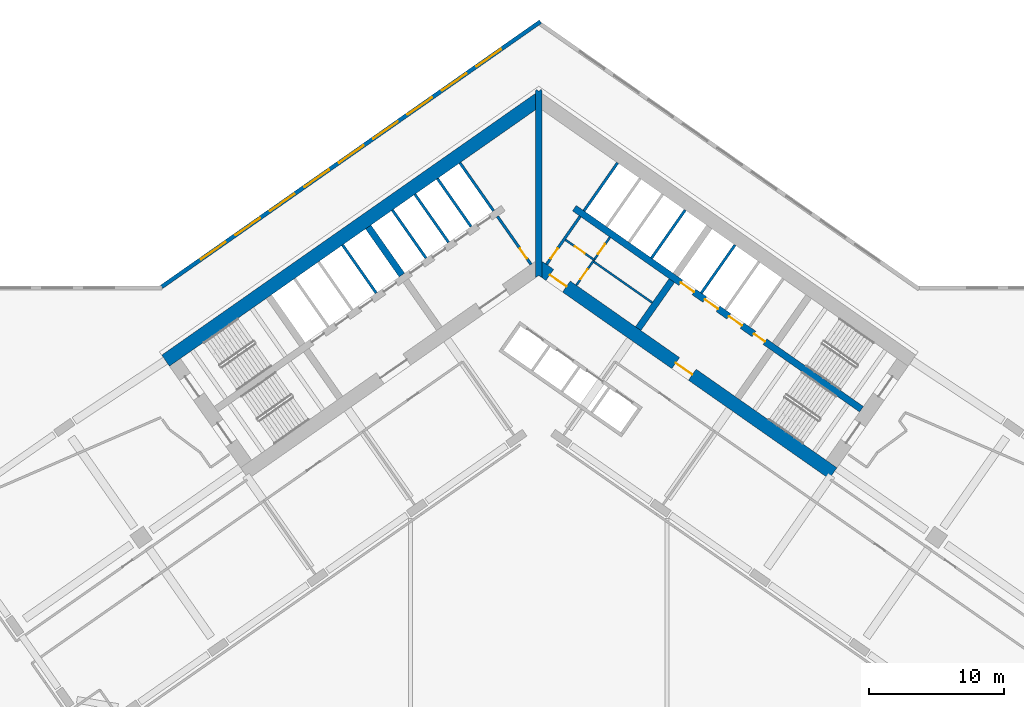
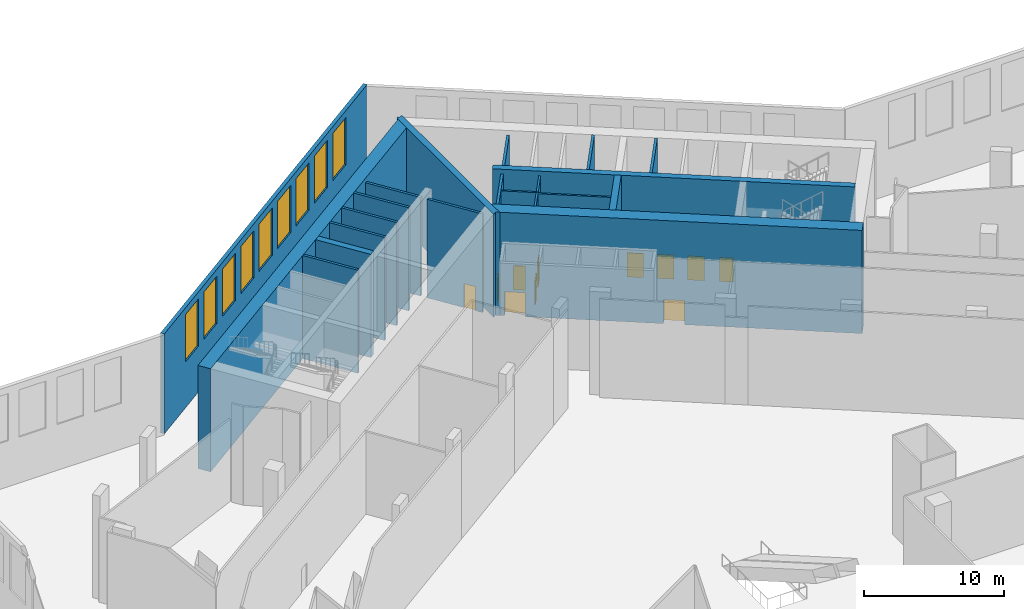
# One storey, part 11 of 27: 20 walls, 11 doors, 9 windows, 20 openings.
"""IFC4 building model written with IfcOpenShell, lengths in metres."""

from ifc_helpers import new_model, si_unit, direction, frame, frame_2d, origin, place, context, subcontext, project, spatial, polyline, rectangle, outline, extrude, material, layer, layer_set, type_object, element, fill, save


model = new_model("IFC4")

# Units and contexts
model_context = context("Model", 3, precision=1e-05, world=origin(), true_north=direction((0.0, 1.0)))
body_context = subcontext(model_context, "Body", "Model", "MODEL_VIEW")
ifc_project = project(units=[si_unit("LENGTHUNIT", "METRE"), si_unit("AREAUNIT", "SQUARE_METRE"), si_unit("VOLUMEUNIT", "CUBIC_METRE"), si_unit("PLANEANGLEUNIT", "RADIAN"), si_unit("MASSUNIT", "GRAM", prefix="KILO")], contexts=[model_context])

# Site, building, storey
site_placement = place(None, origin())
site = spatial("IfcSite", under=ifc_project, at=site_placement, CompositionType="ELEMENT")
building_placement = place(site_placement, origin())
building = spatial("IfcBuilding", under=site, at=building_placement, Name="Tel Ilan Convention Tower", CompositionType="ELEMENT")
storey_placement = place(building_placement, frame((0.0, 0.0, 9.0)))
storey = spatial("IfcBuildingStorey", under=building, at=storey_placement, Name="L01", CompositionType="ELEMENT", Elevation=9.0)

# Wall, openings, doors
ifc_material_1 = material(Name="Gypsum Plasterboard on Steel Stud", Category="steel")
ifc_layer_1 = layer(ifc_material_1, 0.14990234375)
ifc_layer_set_1 = layer_set([ifc_layer_1], Name="Core Room Partition Wall 150 mm EI 60")
wall_type_1 = type_object("IfcWallType", Name="Core Room Partition Wall 150 mm EI 60", PredefinedType="PARTITIONING", material=ifc_layer_set_1)
wall_1_placement = place(storey_placement, frame((2.78515625, -1.9501953125, 0.0), z_axis=(0.0, 0.0, 1.0), x_axis=(0.57356780395, 0.819158088694, 0.0)))
wall_1 = element("IfcWall", 1, at=wall_1_placement, inside=storey, type_object=wall_type_1, Name="L01 core wall wc-v1", PredefinedType="PARTITIONING", context=body_context, shape_type="SweptSolid", body=[
    extrude(rectangle(XDim=4.35009765625, YDim=0.14990234375, at=frame_2d((2.175048828125, 0.0))), origin(), (0.0, 0.0, 1.0), 8.60009765625),
])
opening_1_placement = place(wall_1_placement, frame((0.550048828125, 0.0, 0.0)))
opening_1 = element("IfcOpeningElement", 2, at=opening_1_placement, cuts=wall_1, Name="Opening CD0409", PredefinedType="OPENING", context=body_context, shape_type="SweptSolid", body=[
    extrude(rectangle(XDim=0.89990234375, YDim=2.10009765625, at=frame_2d((0.449951171875, 1.050048828125))), frame((0.0, 0.0849609375, 0.0), z_axis=(0.0, -1.0, 0.0), x_axis=(1.0, 0.0, 0.0)), (0.0, 0.0, 1.0), 0.169921875),
])
opening_2_placement = place(wall_1_placement, frame((2.824951171875, 0.0, 0.0)))
opening_2 = element("IfcOpeningElement", 3, at=opening_2_placement, cuts=wall_1, Name="Opening CD0410", PredefinedType="OPENING", context=body_context, shape_type="SweptSolid", body=[
    extrude(rectangle(XDim=0.89990234375, YDim=2.10009765625, at=frame_2d((0.449951171875, 1.050048828125))), frame((0.0, 0.0849609375, 0.0), z_axis=(0.0, -1.0, 0.0), x_axis=(1.0, 0.0, 0.0)), (0.0, 0.0, 1.0), 0.169921875),
])
ifc_material_2 = material(Name="Laminated Timber Door Leaf", Category="wood")
door_type_1 = type_object("IfcDoorType", Name="Toilet Door 900 x 2100 FD30S", OperationType="NOTDEFINED", PredefinedType="DOOR", material=ifc_material_2)
door_1_placement = place(opening_1_placement, origin())
door_1 = element("IfcDoor", 4, at=door_1_placement, inside=storey, type_object=door_type_1, Name="Women's WC door", OperationType="SINGLE_SWING_RIGHT", OverallHeight=2.10009765625, OverallWidth=0.89990234375, PredefinedType="DOOR", context=body_context, shape_type="SweptSolid", body=[
    extrude(rectangle(XDim=0.89990234375, YDim=2.10009765625, at=frame_2d((0.449951171875, 1.050048828125))), frame((0.0, 0.02490234375, 0.0), z_axis=(0.0, -1.0, 0.0), x_axis=(1.0, 0.0, 0.0)), (0.0, 0.0, 1.0), 0.050048828125),
])
fill(opening_1, door_1)
door_2_placement = place(opening_2_placement, origin())
door_2 = element("IfcDoor", 5, at=door_2_placement, inside=storey, type_object=door_type_1, Name="Men's WC door", OperationType="SINGLE_SWING_RIGHT", OverallHeight=2.10009765625, OverallWidth=0.89990234375, PredefinedType="DOOR", context=body_context, shape_type="SweptSolid", body=[
    extrude(rectangle(XDim=0.89990234375, YDim=2.10009765625, at=frame_2d((0.449951171875, 1.050048828125))), frame((0.0, 0.02490234375, 0.0), z_axis=(0.0, -1.0, 0.0), x_axis=(1.0, 0.0, 0.0)), (0.0, 0.0, 1.0), 0.050048828125),
])
fill(opening_2, door_2)

# Wall, opening, door
wall_2_placement = place(storey_placement, frame((1.974609375, 1.42529296875, 0.0), z_axis=(0.0, 0.0, 1.0), x_axis=(0.819103967032, -0.573645091666, 0.0)))
wall_2 = element("IfcWall", 6, at=wall_2_placement, inside=storey, type_object=wall_type_1, Name="L01 core wall wc-h1", PredefinedType="PARTITIONING", context=body_context, shape_type="SweptSolid", body=[
    extrude(rectangle(XDim=2.599853515625, YDim=0.14990234375, at=frame_2d((1.2998046875, 0.0))), origin(), (0.0, 0.0, 1.0), 8.60009765625),
])
opening_3_placement = place(wall_2_placement, frame((0.85009765625, 0.0, 0.0)))
opening_3 = element("IfcOpeningElement", 7, at=opening_3_placement, cuts=wall_2, Name="Opening CD0408", PredefinedType="OPENING", context=body_context, shape_type="SweptSolid", body=[
    extrude(rectangle(XDim=0.89990234375, YDim=2.10009765625, at=frame_2d((0.449951171875, 1.050048828125))), frame((0.0, 0.0849609375, 0.0), z_axis=(0.0, -1.0, 0.0), x_axis=(1.0, 0.0, 0.0)), (0.0, 0.0, 1.0), 0.169921875),
])
door_3_placement = place(opening_3_placement, origin())
door_3 = element("IfcDoor", 8, at=door_3_placement, inside=storey, type_object=door_type_1, Name="Accessible WC door", OperationType="SINGLE_SWING_RIGHT", OverallHeight=2.10009765625, OverallWidth=0.89990234375, PredefinedType="DOOR", context=body_context, shape_type="SweptSolid", body=[
    extrude(rectangle(XDim=0.89990234375, YDim=2.10009765625, at=frame_2d((0.449951171875, 1.050048828125))), frame((0.0, 0.02490234375, 0.0), z_axis=(0.0, -1.0, 0.0), x_axis=(1.0, 0.0, 0.0)), (0.0, 0.0, 1.0), 0.050048828125),
])
fill(opening_3, door_3)

# Wall
wall_3_placement = place(storey_placement, frame((4.03271484375, -0.16845703125, 0.0), z_axis=(0.0, 0.0, 1.0), x_axis=(0.819146154531, -0.573584847705, 0.0)))
element("IfcWall", 9, at=wall_3_placement, inside=storey, type_object=wall_type_1, Name="L01 core wall wc-h2", PredefinedType="PARTITIONING", context=body_context, shape_type="SweptSolid", body=[
    extrude(rectangle(XDim=5.349853515625, YDim=0.14990234375, at=frame_2d((2.6748046875, 0.0))), origin(), (0.0, 0.0, 1.0), 8.60009765625),
])

# Wall, opening, door
ifc_material_3 = material(Name="Concrete C30/37", Category="concrete")
ifc_layer_2 = layer(ifc_material_3, 0.199951171875)
ifc_layer_set_2 = layer_set([ifc_layer_2], Name="Core Service Room Wall 200 mm C30/37")
wall_type_2 = type_object("IfcWallType", Name="Core Service Room Wall 200 mm C30/37", PredefinedType="SOLIDWALL", material=ifc_layer_set_2)
wall_4_placement = place(storey_placement, frame((-0.573486328125, -0.401611328125, 0.0), z_axis=(0.0, 0.0, 1.0), x_axis=(-0.57356780395, 0.819158088694, 0.0)))
wall_4 = element("IfcWall", 10, at=wall_4_placement, inside=storey, type_object=wall_type_2, Name="L01 core wall apex-W", PredefinedType="SOLIDWALL", context=body_context, shape_type="SweptSolid", body=[
    extrude(rectangle(XDim=4.35009765625, YDim=0.199951171875, at=frame_2d((2.175048828125, 0.0))), origin(), (0.0, 0.0, 1.0), 8.60009765625),
])
opening_4_placement = place(wall_4_placement, frame((0.550048828125, 0.0, 0.0)))
opening_4 = element("IfcOpeningElement", 11, at=opening_4_placement, cuts=wall_4, Name="Opening CD0402", PredefinedType="OPENING", context=body_context, shape_type="SweptSolid", body=[
    extrude(rectangle(XDim=0.89990234375, YDim=2.10009765625, at=frame_2d((0.449951171875, 1.050048828125))), frame((0.0, 0.10986328125, 0.0), z_axis=(0.0, -1.0, 0.0), x_axis=(1.0, 0.0, 0.0)), (0.0, 0.0, 1.0), 0.219970703125),
])
ifc_material_4 = material(Name="Galvanised Steel Door Leaf", Category="steel")
door_type_2 = type_object("IfcDoorType", Name="Service Room Door 900 x 2100 FD60", OperationType="NOTDEFINED", PredefinedType="DOOR", material=ifc_material_4)
door_4_placement = place(opening_4_placement, origin())
door_4 = element("IfcDoor", 12, at=door_4_placement, inside=storey, type_object=door_type_2, Name="Electrical Room door", OperationType="SINGLE_SWING_RIGHT", OverallHeight=2.10009765625, OverallWidth=0.89990234375, PredefinedType="DOOR", context=body_context, shape_type="SweptSolid", body=[
    extrude(rectangle(XDim=0.89990234375, YDim=2.10009765625, at=frame_2d((0.449951171875, 1.050048828125))), frame((0.0, 0.02490234375, 0.0), z_axis=(0.0, -1.0, 0.0), x_axis=(1.0, 0.0, 0.0)), (0.0, 0.0, 1.0), 0.050048828125),
])
fill(opening_4, door_4)

# Wall
wall_5_placement = place(storey_placement, frame((-3.355224609375, 3.5712890625, 0.0), z_axis=(0.0, 0.0, 1.0), x_axis=(-0.57356780395, 0.819158088694, 0.0)))
element("IfcWall", 13, at=wall_5_placement, inside=storey, type_object=wall_type_2, Name="L01 core wall apex-W-b", PredefinedType="SOLIDWALL", context=body_context, shape_type="SweptSolid", body=[
    extrude(rectangle(XDim=4.35009765625, YDim=0.199951171875, at=frame_2d((2.175048828125, 0.0))), origin(), (0.0, 0.0, 1.0), 8.60009765625),
])

# Wall, opening, door
wall_6_placement = place(storey_placement, frame((0.573486328125, -0.401611328125, 0.0), z_axis=(0.0, 0.0, 1.0), x_axis=(0.57356780395, 0.819158088694, 0.0)))
wall_6 = element("IfcWall", 14, at=wall_6_placement, inside=storey, type_object=wall_type_2, Name="L01 core wall apex-E", PredefinedType="SOLIDWALL", context=body_context, shape_type="SweptSolid", body=[
    extrude(rectangle(XDim=4.35009765625, YDim=0.199951171875, at=frame_2d((2.175048828125, 0.0))), origin(), (0.0, 0.0, 1.0), 8.60009765625),
])
opening_5_placement = place(wall_6_placement, frame((0.550048828125, 0.0, 0.0)))
opening_5 = element("IfcOpeningElement", 15, at=opening_5_placement, cuts=wall_6, Name="Opening CD0401", PredefinedType="OPENING", context=body_context, shape_type="SweptSolid", body=[
    extrude(rectangle(XDim=0.89990234375, YDim=2.10009765625, at=frame_2d((0.449951171875, 1.050048828125))), frame((0.0, 0.10986328125, 0.0), z_axis=(0.0, -1.0, 0.0), x_axis=(1.0, 0.0, 0.0)), (0.0, 0.0, 1.0), 0.219970703125),
])
door_5_placement = place(opening_5_placement, origin())
door_5 = element("IfcDoor", 16, at=door_5_placement, inside=storey, type_object=door_type_2, Name="Store Room door", OperationType="SINGLE_SWING_RIGHT", OverallHeight=2.10009765625, OverallWidth=0.89990234375, PredefinedType="DOOR", context=body_context, shape_type="SweptSolid", body=[
    extrude(rectangle(XDim=0.89990234375, YDim=2.10009765625, at=frame_2d((0.449951171875, 1.050048828125))), frame((0.0, 0.02490234375, 0.0), z_axis=(0.0, -1.0, 0.0), x_axis=(1.0, 0.0, 0.0)), (0.0, 0.0, 1.0), 0.050048828125),
])
fill(opening_5, door_5)

# Walls
wall_7_placement = place(storey_placement, frame((3.355224609375, 3.5712890625, 0.0), z_axis=(0.0, 0.0, 1.0), x_axis=(0.57356780395, 0.819158088694, 0.0)))
element("IfcWall", 17, at=wall_7_placement, inside=storey, type_object=wall_type_2, Name="L01 core wall apex-E-b", PredefinedType="SOLIDWALL", context=body_context, shape_type="SweptSolid", body=[
    extrude(rectangle(XDim=4.35009765625, YDim=0.199951171875, at=frame_2d((2.175048828125, 0.0))), origin(), (0.0, 0.0, 1.0), 8.60009765625),
])
ifc_material_5 = material(Name="Concrete C60/75", Category="concrete")
ifc_layer_3 = layer(ifc_material_5, 1.0)
ifc_layer_set_3 = layer_set([ifc_layer_3], Name="Core Shear Wall 1000 mm C60/75")
wall_type_3 = type_object("IfcWallType", Name="Core Shear Wall 1000 mm C60/75", PredefinedType="SHEAR", material=ifc_layer_set_3)
wall_8_placement = place(storey_placement, frame((0.036865234375, 11.8671875, 0.0), z_axis=(0.0, 0.0, 1.0), x_axis=(-0.819155306259, -0.573571777746, 0.0)))
element("IfcWall", 18, at=wall_8_placement, inside=storey, type_object=wall_type_3, Name="L01 core wall W-back", PredefinedType="SHEAR", context=body_context, shape_type="SweptSolid", body=[
    extrude(outline(polyline([(33.8369140625, 0.5), (0.7001953125, 0.499755859375), (0.0, -0.5), (33.8369140625, -0.5), (33.8369140625, 0.5)])), origin(), (0.0, 0.0, 1.0), 9.0),
])

# Wall, openings, doors
wall_9_placement = place(storey_placement, frame((-0.036865234375, -0.584716796875, 0.0), z_axis=(0.0, 0.0, 1.0), x_axis=(0.819157152511, -0.573569140985, 0.0)))
wall_9 = element("IfcWall", 19, at=wall_9_placement, inside=storey, type_object=wall_type_3, Name="L01 core wall E-front", PredefinedType="SHEAR", context=body_context, shape_type="SweptSolid", body=[
    extrude(outline(polyline([(26.69482421875, 0.499755859375), (0.0, 0.5), (0.7001953125, -0.499755859375), (26.69482421875, -0.500244140625), (26.69482421875, 0.499755859375)])), origin(), (0.0, 0.0, 1.0), 9.0),
])
opening_6_placement = place(wall_9_placement, frame((1.044921875, 0.0, 0.0)))
opening_6 = element("IfcOpeningElement", 20, at=opening_6_placement, cuts=wall_9, Name="Opening CD0403", PredefinedType="OPENING", context=body_context, shape_type="SweptSolid", body=[
    extrude(rectangle(XDim=1.5, YDim=2.10009765625, at=frame_2d((0.75, 1.050048828125))), frame((0.0, 0.510009765625, 0.0), z_axis=(0.0, -1.0, 0.0), x_axis=(1.0, 0.0, 0.0)), (0.0, 0.0, 1.0), 1.02001953125),
])
opening_7_placement = place(wall_9_placement, frame((12.44482421875, 0.0, 0.0)))
opening_7 = element("IfcOpeningElement", 21, at=opening_7_placement, cuts=wall_9, Name="Opening CD0404", PredefinedType="OPENING", context=body_context, shape_type="SweptSolid", body=[
    extrude(rectangle(XDim=1.5, YDim=2.10009765625, at=frame_2d((0.75, 1.050048828125))), frame((0.0, 0.510009765625, 0.0), z_axis=(0.0, -1.0, 0.0), x_axis=(1.0, 0.0, 0.0)), (0.0, 0.0, 1.0), 1.02001953125),
])
ifc_material_6 = material(Name="Glazed Aluminium Door Leaf", Category="aluminium")
door_type_3 = type_object("IfcDoorType", Name="Lobby Opening Door 1500 x 2100 FD60S", OperationType="NOTDEFINED", PredefinedType="DOOR", material=ifc_material_6)
door_6_placement = place(opening_7_placement, origin())
door_6 = element("IfcDoor", 22, at=door_6_placement, inside=storey, type_object=door_type_3, Name="Firefighting Lobby door", OperationType="DOUBLE_DOOR_SINGLE_SWING", OverallHeight=2.10009765625, OverallWidth=1.5, PredefinedType="DOOR", context=body_context, shape_type="SweptSolid", body=[
    extrude(rectangle(XDim=1.5, YDim=2.10009765625, at=frame_2d((0.75, 1.050048828125))), frame((0.0, 0.02490234375, 0.0), z_axis=(0.0, -1.0, 0.0), x_axis=(1.0, 0.0, 0.0)), (0.0, 0.0, 1.0), 0.050048828125),
])
fill(opening_7, door_6)
ifc_material_7 = material(Name="Laminated Timber Door Leaf", Category="wood")
door_type_4 = type_object("IfcDoorType", Name="Toilet Door 1500 x 2100 FD30S", OperationType="NOTDEFINED", PredefinedType="DOOR", material=ifc_material_7)
door_7_placement = place(opening_6_placement, origin())
door_7 = element("IfcDoor", 23, at=door_7_placement, inside=storey, type_object=door_type_4, Name="WC Lobby door", OperationType="SINGLE_SWING_RIGHT", OverallHeight=2.10009765625, OverallWidth=1.5, PredefinedType="DOOR", context=body_context, shape_type="SweptSolid", body=[
    extrude(rectangle(XDim=1.5, YDim=2.10009765625, at=frame_2d((0.75, 1.050048828125))), frame((0.0, 0.02490234375, 0.0), z_axis=(0.0, -1.0, 0.0), x_axis=(1.0, 0.0, 0.0)), (0.0, 0.0, 1.0), 0.050048828125),
])
fill(opening_6, door_7)

# Walls
ifc_material_8 = material(Name="Concrete C60/75", Category="concrete")
ifc_layer_4 = layer(ifc_material_8, 0.5)
ifc_layer_set_4 = layer_set([ifc_layer_4], Name="Core Shear Wall 500 mm C60/75")
wall_type_4 = type_object("IfcWallType", Name="Core Shear Wall 500 mm C60/75", PredefinedType="SHEAR", material=ifc_layer_set_4)
wall_10_placement = place(storey_placement, frame((-10.154296875, -1.189208984375, 0.0), z_axis=(0.0, 0.0, 1.0), x_axis=(-0.573594173421, 0.819139624372, 0.0)))
element("IfcWall", 24, at=wall_10_placement, inside=storey, type_object=wall_type_4, Name="L01 core wall W-cross1-2", PredefinedType="SHEAR", context=body_context, shape_type="SweptSolid", body=[
    extrude(outline(polyline([(4.349853515625, -0.25), (4.349853515625, 0.25), (-0.000244140625, 0.25), (-0.000244140625, -0.25), (4.349853515625, -0.25)])), origin(), (0.0, 0.0, 1.0), 9.0),
])
wall_11_placement = place(storey_placement, frame((7.372314453125, -5.162109375, 0.0), z_axis=(0.0, 0.0, 1.0), x_axis=(0.573594173421, 0.819139624372, 0.0)))
element("IfcWall", 25, at=wall_11_placement, inside=storey, type_object=wall_type_4, Name="L01 core wall E-cross1-1", PredefinedType="SHEAR", context=body_context, shape_type="SweptSolid", body=[
    extrude(outline(polyline([(0.0, 0.25), (0.0, -0.250244140625), (4.349853515625, -0.25), (4.349853515625, 0.25), (0.0, 0.25)])), origin(), (0.0, 0.0, 1.0), 9.0),
])

# Wall, openings, doors
wall_12_placement = place(storey_placement, frame((2.638427734375, 3.76806640625, 0.0), z_axis=(0.0, 0.0, 1.0), x_axis=(0.819148977158, -0.573580816643, 0.0)))
wall_12 = element("IfcWall", 26, at=wall_12_placement, inside=storey, type_object=wall_type_4, Name="L01 core wall E-spine", PredefinedType="SHEAR", context=body_context, shape_type="SweptSolid", body=[
    extrude(outline(polyline([(0.0, 0.25), (0.0, -0.25), (26.0, -0.249755859375), (26.0, 0.250244140625), (0.0, 0.25)])), origin(), (0.0, 0.0, 1.0), 9.0),
])
opening_8_placement = place(wall_12_placement, frame((9.637451171875, 0.0, 0.0)))
opening_8 = element("IfcOpeningElement", 27, at=opening_8_placement, cuts=wall_12, Name="Opening LD0401", PredefinedType="OPENING", context=body_context, shape_type="SweptSolid", body=[
    extrude(rectangle(XDim=1.199951171875, YDim=2.10009765625, at=frame_2d((0.60009765625, 1.050048828125))), frame((0.0, 0.260009765625, 0.0), z_axis=(0.0, -1.0, 0.0), x_axis=(1.0, 0.0, 0.0)), (0.0, 0.0, 1.0), 0.52001953125),
])
opening_9_placement = place(wall_12_placement, frame((11.8125, 0.0, 0.0)))
opening_9 = element("IfcOpeningElement", 28, at=opening_9_placement, cuts=wall_12, Name="Opening LD0402", PredefinedType="OPENING", context=body_context, shape_type="SweptSolid", body=[
    extrude(rectangle(XDim=1.199951171875, YDim=2.10009765625, at=frame_2d((0.60009765625, 1.050048828125))), frame((0.0, 0.260009765625, 0.0), z_axis=(0.0, -1.0, 0.0), x_axis=(1.0, 0.0, 0.0)), (0.0, 0.0, 1.0), 0.52001953125),
])
opening_10_placement = place(wall_12_placement, frame((13.987548828125, 0.0, 0.0)))
opening_10 = element("IfcOpeningElement", 29, at=opening_10_placement, cuts=wall_12, Name="Opening LD0403", PredefinedType="OPENING", context=body_context, shape_type="SweptSolid", body=[
    extrude(rectangle(XDim=1.199951171875, YDim=2.10009765625, at=frame_2d((0.60009765625, 1.050048828125))), frame((0.0, 0.260009765625, 0.0), z_axis=(0.0, -1.0, 0.0), x_axis=(1.0, 0.0, 0.0)), (0.0, 0.0, 1.0), 0.52001953125),
])
opening_11_placement = place(wall_12_placement, frame((16.262451171875, 0.0, 0.0)))
opening_11 = element("IfcOpeningElement", 30, at=opening_11_placement, cuts=wall_12, Name="Opening CD0407", PredefinedType="OPENING", context=body_context, shape_type="SweptSolid", body=[
    extrude(rectangle(XDim=1.0, YDim=2.10009765625, at=frame_2d((0.5, 1.050048828125))), frame((0.0, 0.260009765625, 0.0), z_axis=(0.0, -1.0, 0.0), x_axis=(1.0, 0.0, 0.0)), (0.0, 0.0, 1.0), 0.52001953125),
])
ifc_material_9 = material(Name="Stainless Steel Sliding Door Leaf", Category="steel")
door_type_5 = type_object("IfcDoorType", Name="Lift Landing Door 1200 x 2100 FD120", OperationType="NOTDEFINED", PredefinedType="DOOR", material=ifc_material_9)
door_8_placement = place(opening_8_placement, origin())
door_8 = element("IfcDoor", 31, at=door_8_placement, inside=storey, type_object=door_type_5, Name="Lift FL1 landing door", OperationType="SLIDING_TO_LEFT", OverallHeight=2.10009765625, OverallWidth=1.199951171875, PredefinedType="DOOR", context=body_context, shape_type="SweptSolid", body=[
    extrude(rectangle(XDim=1.199951171875, YDim=2.10009765625, at=frame_2d((0.60009765625, 1.050048828125))), frame((0.0, 0.02490234375, 0.0), z_axis=(0.0, -1.0, 0.0), x_axis=(1.0, 0.0, 0.0)), (0.0, 0.0, 1.0), 0.050048828125),
])
fill(opening_8, door_8)
door_9_placement = place(opening_9_placement, origin())
door_9 = element("IfcDoor", 32, at=door_9_placement, inside=storey, type_object=door_type_5, Name="Lift FL2 landing door", OperationType="SLIDING_TO_RIGHT", OverallHeight=2.10009765625, OverallWidth=1.199951171875, PredefinedType="DOOR", context=body_context, shape_type="SweptSolid", body=[
    extrude(rectangle(XDim=1.199951171875, YDim=2.10009765625, at=frame_2d((0.60009765625, 1.050048828125))), frame((0.0, 0.02490234375, 0.0), z_axis=(0.0, -1.0, 0.0), x_axis=(1.0, 0.0, 0.0)), (0.0, 0.0, 1.0), 0.050048828125),
])
fill(opening_9, door_9)
door_10_placement = place(opening_10_placement, origin())
door_10 = element("IfcDoor", 33, at=door_10_placement, inside=storey, type_object=door_type_5, Name="Lift FL3 landing door", OperationType="SLIDING_TO_LEFT", OverallHeight=2.10009765625, OverallWidth=1.199951171875, PredefinedType="DOOR", context=body_context, shape_type="SweptSolid", body=[
    extrude(rectangle(XDim=1.199951171875, YDim=2.10009765625, at=frame_2d((0.60009765625, 1.050048828125))), frame((0.0, 0.02490234375, 0.0), z_axis=(0.0, -1.0, 0.0), x_axis=(1.0, 0.0, 0.0)), (0.0, 0.0, 1.0), 0.050048828125),
])
fill(opening_10, door_10)
ifc_material_10 = material(Name="Galvanised Steel Door Leaf", Category="steel")
door_type_6 = type_object("IfcDoorType", Name="Service Room Door 1000 x 2100 FD60", OperationType="NOTDEFINED", PredefinedType="DOOR", material=ifc_material_10)
door_11_placement = place(opening_11_placement, origin())
door_11 = element("IfcDoor", 34, at=door_11_placement, inside=storey, type_object=door_type_6, Name="Plant Room door", OperationType="SINGLE_SWING_RIGHT", OverallHeight=2.10009765625, OverallWidth=1.0, PredefinedType="DOOR", context=body_context, shape_type="SweptSolid", body=[
    extrude(rectangle(XDim=1.0, YDim=2.10009765625, at=frame_2d((0.5, 1.050048828125))), frame((0.0, 0.02490234375, 0.0), z_axis=(0.0, -1.0, 0.0), x_axis=(1.0, 0.0, 0.0)), (0.0, 0.0, 1.0), 0.050048828125),
])
fill(opening_11, door_11)

# Walls
wall_13_placement = place(storey_placement, frame((0.0, -1.395751953125, 0.0), z_axis=(0.0, 0.0, 1.0), x_axis=(0.0, 1.0, 0.0)))
element("IfcWall", 35, at=wall_13_placement, inside=storey, type_object=wall_type_4, Name="L01 core wall K-central", PredefinedType="SHEAR", context=body_context, shape_type="SweptSolid", body=[
    extrude(outline(polyline([(0.0, -0.25), (0.175048828125, -0.25), (1.220703125, -0.25), (12.451904296875, -0.25), (13.84765625, -0.25), (13.85693359375, -0.25), (13.96826171875, -0.172119140625), (13.84765625, 0.0), (13.96826171875, 0.172119140625), (13.85693359375, 0.25), (13.84765625, 0.25), (12.451904296875, 0.25), (1.220703125, 0.25), (0.175048828125, 0.25), (0.0, 0.25), (0.175048828125, 0.0), (0.0, -0.25)])), origin(), (0.0, 0.0, 1.0), 9.0),
])
ifc_material_11 = material(Name="Concrete C30/37", Category="concrete")
ifc_layer_5 = layer(ifc_material_11, 0.199951171875)
ifc_layer_set_5 = layer_set([ifc_layer_5], Name="Lift Shaft Wall 200 mm C30/37")
wall_type_5 = type_object("IfcWallType", Name="Lift Shaft Wall 200 mm C30/37", PredefinedType="SOLIDWALL", material=ifc_layer_set_5)
wall_14_placement = place(storey_placement, frame((-5.0244140625, 2.402587890625, 0.0), z_axis=(0.0, 0.0, 1.0), x_axis=(-0.573530143085, 0.819184457233, 0.0)))
element("IfcWall", 36, at=wall_14_placement, inside=storey, type_object=wall_type_5, Name="L01 core wall bank-W1-p0", PredefinedType="SOLIDWALL", context=body_context, shape_type="SweptSolid", body=[
    extrude(rectangle(XDim=4.35009765625, YDim=0.199951171875, at=frame_2d((2.175048828125, 0.0))), origin(), (0.0, 0.0, 1.0), 9.0),
])
for number, where, z_axis, x_axis, name in (
    (37, (-6.693359375, 1.234130859375, 0.0), (0.0, 0.0, 1.0), (-0.573594173421, 0.819139624372, 0.0), "L01 core wall bank-W1-p1"),
    (38, (-8.3623046875, 0.0654296875, 0.0), (0.0, 0.0, 1.0), (-0.573594173421, 0.819139624372, 0.0), "L01 core wall bank-W1-p2"),
    (39, (-12.05859375, -2.52294921875, 0.0), (0.0, 0.0, 1.0), (-0.573594173421, 0.819139624372, 0.0), "L01 core wall bank-W2-p0"),
    (40, (8.3623046875, 0.0654296875, 0.0), (0.0, 0.0, 1.0), (0.573594173421, 0.819139624372, 0.0), "L01 core wall bank-E1-p2"),
    (41, (12.05859375, -2.52294921875, 0.0), (0.0, 0.0, 1.0), (0.573594173421, 0.819139624372, 0.0), "L01 core wall bank-E2-p0"),
):
    element("IfcWall", number, at=place(storey_placement, frame(where, z_axis=z_axis, x_axis=x_axis)), inside=storey, type_object=wall_type_5, Name=name, PredefinedType="SOLIDWALL", context=body_context, shape_type="SweptSolid", body=[
        extrude(rectangle(XDim=4.349853515625, YDim=0.199951171875, at=frame_2d((2.1748046875, 0.0))), origin(), (0.0, 0.0, 1.0), 9.0),
    ])

# Wall, openings, windows
ifc_material_12 = material(Name="Bronze aluminium cladding panel on insulated steel frame", Category="steel")
ifc_layer_6 = layer(ifc_material_12, 0.300048828125)
ifc_layer_set_6 = layer_set([ifc_layer_6], Name="PODIUM CLADDING WALL 300")
wall_type_6 = type_object("IfcWallType", Name="PODIUM CLADDING WALL 300", PredefinedType="SOLIDWALL", material=ifc_layer_set_6)
wall_15_placement = place(storey_placement, frame((-27.966064453125, -2.06396484375, 0.0), z_axis=(0.0, 0.0, 1.0), x_axis=(0.819149627982, 0.57357988718, 0.0)))
wall_15 = element("IfcWall", 42, at=wall_15_placement, inside=storey, type_object=wall_type_6, Name="Podium cladding wall", PredefinedType="SOLIDWALL", context=body_context, shape_type="SweptSolid", body=[
    extrude(rectangle(XDim=34.290283203125, YDim=0.300048828125, at=frame_2d((17.14501953125, 0.0))), origin(), (0.0, 0.0, 1.0), 8.719970703125),
])
opening_12_placement = place(wall_15_placement, frame((3.5673828125, 0.0, 4.0)))
opening_12 = element("IfcOpeningElement", 43, at=opening_12_placement, cuts=wall_15, Name="Opening W-04.031", PredefinedType="OPENING", context=body_context, shape_type="SweptSolid", body=[
    extrude(rectangle(XDim=2.21728515625, YDim=4.1201171875, at=frame_2d((1.108642578125, 2.06005859375))), frame((0.0, 0.159912109375, 0.0), z_axis=(0.0, -1.0, 0.0), x_axis=(1.0, 0.0, 0.0)), (0.0, 0.0, 1.0), 0.320068359375),
])
opening_13_placement = place(wall_15_placement, frame((6.6845703125, 0.0, 4.0)))
opening_13 = element("IfcOpeningElement", 44, at=opening_13_placement, cuts=wall_15, Name="Opening W-04.032", PredefinedType="OPENING", context=body_context, shape_type="SweptSolid", body=[
    extrude(rectangle(XDim=2.21728515625, YDim=4.1201171875, at=frame_2d((1.108642578125, 2.06005859375))), frame((0.0, 0.159912109375, 0.0), z_axis=(0.0, -1.0, 0.0), x_axis=(1.0, 0.0, 0.0)), (0.0, 0.0, 1.0), 0.320068359375),
])
opening_14_placement = place(wall_15_placement, frame((9.802001953125, 0.0, 4.0)))
opening_14 = element("IfcOpeningElement", 45, at=opening_14_placement, cuts=wall_15, Name="Opening W-04.033", PredefinedType="OPENING", context=body_context, shape_type="SweptSolid", body=[
    extrude(rectangle(XDim=2.21728515625, YDim=4.1201171875, at=frame_2d((1.108642578125, 2.06005859375))), frame((0.0, 0.159912109375, 0.0), z_axis=(0.0, -1.0, 0.0), x_axis=(1.0, 0.0, 0.0)), (0.0, 0.0, 1.0), 0.320068359375),
])
opening_15_placement = place(wall_15_placement, frame((12.919189453125, 0.0, 4.0)))
opening_15 = element("IfcOpeningElement", 46, at=opening_15_placement, cuts=wall_15, Name="Opening W-04.034", PredefinedType="OPENING", context=body_context, shape_type="SweptSolid", body=[
    extrude(rectangle(XDim=2.21728515625, YDim=4.1201171875, at=frame_2d((1.108642578125, 2.06005859375))), frame((0.0, 0.159912109375, 0.0), z_axis=(0.0, -1.0, 0.0), x_axis=(1.0, 0.0, 0.0)), (0.0, 0.0, 1.0), 0.320068359375),
])
opening_16_placement = place(wall_15_placement, frame((16.03662109375, 0.0, 4.0)))
opening_16 = element("IfcOpeningElement", 47, at=opening_16_placement, cuts=wall_15, Name="Opening W-04.035", PredefinedType="OPENING", context=body_context, shape_type="SweptSolid", body=[
    extrude(rectangle(XDim=2.21728515625, YDim=4.1201171875, at=frame_2d((1.108642578125, 2.06005859375))), frame((0.0, 0.159912109375, 0.0), z_axis=(0.0, -1.0, 0.0), x_axis=(1.0, 0.0, 0.0)), (0.0, 0.0, 1.0), 0.320068359375),
])
opening_17_placement = place(wall_15_placement, frame((19.15380859375, 0.0, 4.0)))
opening_17 = element("IfcOpeningElement", 48, at=opening_17_placement, cuts=wall_15, Name="Opening W-04.036", PredefinedType="OPENING", context=body_context, shape_type="SweptSolid", body=[
    extrude(rectangle(XDim=2.21728515625, YDim=4.1201171875, at=frame_2d((1.108642578125, 2.06005859375))), frame((0.0, 0.159912109375, 0.0), z_axis=(0.0, -1.0, 0.0), x_axis=(1.0, 0.0, 0.0)), (0.0, 0.0, 1.0), 0.320068359375),
])
opening_18_placement = place(wall_15_placement, frame((22.27099609375, 0.0, 4.0)))
opening_18 = element("IfcOpeningElement", 49, at=opening_18_placement, cuts=wall_15, Name="Opening W-04.037", PredefinedType="OPENING", context=body_context, shape_type="SweptSolid", body=[
    extrude(rectangle(XDim=2.21728515625, YDim=4.1201171875, at=frame_2d((1.108642578125, 2.06005859375))), frame((0.0, 0.159912109375, 0.0), z_axis=(0.0, -1.0, 0.0), x_axis=(1.0, 0.0, 0.0)), (0.0, 0.0, 1.0), 0.320068359375),
])
opening_19_placement = place(wall_15_placement, frame((25.388427734375, 0.0, 4.0)))
opening_19 = element("IfcOpeningElement", 50, at=opening_19_placement, cuts=wall_15, Name="Opening W-04.038", PredefinedType="OPENING", context=body_context, shape_type="SweptSolid", body=[
    extrude(rectangle(XDim=2.21728515625, YDim=4.1201171875, at=frame_2d((1.108642578125, 2.06005859375))), frame((0.0, 0.159912109375, 0.0), z_axis=(0.0, -1.0, 0.0), x_axis=(1.0, 0.0, 0.0)), (0.0, 0.0, 1.0), 0.320068359375),
])
opening_20_placement = place(wall_15_placement, frame((28.505615234375, 0.0, 4.0)))
opening_20 = element("IfcOpeningElement", 51, at=opening_20_placement, cuts=wall_15, Name="Opening W-04.039", PredefinedType="OPENING", context=body_context, shape_type="SweptSolid", body=[
    extrude(rectangle(XDim=2.21728515625, YDim=4.1201171875, at=frame_2d((1.108642578125, 2.06005859375))), frame((0.0, 0.159912109375, 0.0), z_axis=(0.0, -1.0, 0.0), x_axis=(1.0, 0.0, 0.0)), (0.0, 0.0, 1.0), 0.320068359375),
])
ifc_material_13 = material(Name="Aluminium framed glazing, bronze anodised, tinted glass", Category="aluminium")
window_type = type_object("IfcWindowType", Name="PODIUM WINDOW 2217x4120", PartitioningType="SINGLE_PANEL", PredefinedType="WINDOW", material=ifc_material_13)
window_1_placement = place(opening_12_placement, origin())
window_1 = element("IfcWindow", 52, at=window_1_placement, inside=storey, type_object=window_type, Name="Podium window", OverallHeight=4.1201171875, OverallWidth=2.21728515625, PartitioningType="SINGLE_PANEL", PredefinedType="WINDOW", context=body_context, shape_type="SweptSolid", body=[
    extrude(rectangle(XDim=2.21728515625, YDim=4.1201171875, at=frame_2d((1.108642578125, 2.06005859375))), frame((0.0, 0.030029296875, 0.0), z_axis=(0.0, -1.0, 0.0), x_axis=(1.0, 0.0, 0.0)), (0.0, 0.0, 1.0), 0.06005859375),
])
fill(opening_12, window_1)
window_2_placement = place(opening_13_placement, origin())
window_2 = element("IfcWindow", 53, at=window_2_placement, inside=storey, type_object=window_type, Name="Podium window", OverallHeight=4.1201171875, OverallWidth=2.21728515625, PartitioningType="SINGLE_PANEL", PredefinedType="WINDOW", context=body_context, shape_type="SweptSolid", body=[
    extrude(rectangle(XDim=2.21728515625, YDim=4.1201171875, at=frame_2d((1.108642578125, 2.06005859375))), frame((0.0, 0.030029296875, 0.0), z_axis=(0.0, -1.0, 0.0), x_axis=(1.0, 0.0, 0.0)), (0.0, 0.0, 1.0), 0.06005859375),
])
fill(opening_13, window_2)
window_3_placement = place(opening_14_placement, origin())
window_3 = element("IfcWindow", 54, at=window_3_placement, inside=storey, type_object=window_type, Name="Podium window", OverallHeight=4.1201171875, OverallWidth=2.21728515625, PartitioningType="SINGLE_PANEL", PredefinedType="WINDOW", context=body_context, shape_type="SweptSolid", body=[
    extrude(rectangle(XDim=2.21728515625, YDim=4.1201171875, at=frame_2d((1.108642578125, 2.06005859375))), frame((0.0, 0.030029296875, 0.0), z_axis=(0.0, -1.0, 0.0), x_axis=(1.0, 0.0, 0.0)), (0.0, 0.0, 1.0), 0.06005859375),
])
fill(opening_14, window_3)
window_4_placement = place(opening_15_placement, origin())
window_4 = element("IfcWindow", 55, at=window_4_placement, inside=storey, type_object=window_type, Name="Podium window", OverallHeight=4.1201171875, OverallWidth=2.21728515625, PartitioningType="SINGLE_PANEL", PredefinedType="WINDOW", context=body_context, shape_type="SweptSolid", body=[
    extrude(rectangle(XDim=2.21728515625, YDim=4.1201171875, at=frame_2d((1.108642578125, 2.06005859375))), frame((0.0, 0.030029296875, 0.0), z_axis=(0.0, -1.0, 0.0), x_axis=(1.0, 0.0, 0.0)), (0.0, 0.0, 1.0), 0.06005859375),
])
fill(opening_15, window_4)
window_5_placement = place(opening_16_placement, origin())
window_5 = element("IfcWindow", 56, at=window_5_placement, inside=storey, type_object=window_type, Name="Podium window", OverallHeight=4.1201171875, OverallWidth=2.21728515625, PartitioningType="SINGLE_PANEL", PredefinedType="WINDOW", context=body_context, shape_type="SweptSolid", body=[
    extrude(rectangle(XDim=2.21728515625, YDim=4.1201171875, at=frame_2d((1.108642578125, 2.06005859375))), frame((0.0, 0.030029296875, 0.0), z_axis=(0.0, -1.0, 0.0), x_axis=(1.0, 0.0, 0.0)), (0.0, 0.0, 1.0), 0.06005859375),
])
fill(opening_16, window_5)
window_6_placement = place(opening_17_placement, origin())
window_6 = element("IfcWindow", 57, at=window_6_placement, inside=storey, type_object=window_type, Name="Podium window", OverallHeight=4.1201171875, OverallWidth=2.21728515625, PartitioningType="SINGLE_PANEL", PredefinedType="WINDOW", context=body_context, shape_type="SweptSolid", body=[
    extrude(rectangle(XDim=2.21728515625, YDim=4.1201171875, at=frame_2d((1.108642578125, 2.06005859375))), frame((0.0, 0.030029296875, 0.0), z_axis=(0.0, -1.0, 0.0), x_axis=(1.0, 0.0, 0.0)), (0.0, 0.0, 1.0), 0.06005859375),
])
fill(opening_17, window_6)
window_7_placement = place(opening_18_placement, origin())
window_7 = element("IfcWindow", 58, at=window_7_placement, inside=storey, type_object=window_type, Name="Podium window", OverallHeight=4.1201171875, OverallWidth=2.21728515625, PartitioningType="SINGLE_PANEL", PredefinedType="WINDOW", context=body_context, shape_type="SweptSolid", body=[
    extrude(rectangle(XDim=2.21728515625, YDim=4.1201171875, at=frame_2d((1.108642578125, 2.06005859375))), frame((0.0, 0.030029296875, 0.0), z_axis=(0.0, -1.0, 0.0), x_axis=(1.0, 0.0, 0.0)), (0.0, 0.0, 1.0), 0.06005859375),
])
fill(opening_18, window_7)
window_8_placement = place(opening_19_placement, origin())
window_8 = element("IfcWindow", 59, at=window_8_placement, inside=storey, type_object=window_type, Name="Podium window", OverallHeight=4.1201171875, OverallWidth=2.21728515625, PartitioningType="SINGLE_PANEL", PredefinedType="WINDOW", context=body_context, shape_type="SweptSolid", body=[
    extrude(rectangle(XDim=2.21728515625, YDim=4.1201171875, at=frame_2d((1.108642578125, 2.06005859375))), frame((0.0, 0.030029296875, 0.0), z_axis=(0.0, -1.0, 0.0), x_axis=(1.0, 0.0, 0.0)), (0.0, 0.0, 1.0), 0.06005859375),
])
fill(opening_19, window_8)
window_9_placement = place(opening_20_placement, origin())
window_9 = element("IfcWindow", 60, at=window_9_placement, inside=storey, type_object=window_type, Name="Podium window", OverallHeight=4.1201171875, OverallWidth=2.21728515625, PartitioningType="SINGLE_PANEL", PredefinedType="WINDOW", context=body_context, shape_type="SweptSolid", body=[
    extrude(rectangle(XDim=2.21728515625, YDim=4.1201171875, at=frame_2d((1.108642578125, 2.06005859375))), frame((0.0, 0.030029296875, 0.0), z_axis=(0.0, -1.0, 0.0), x_axis=(1.0, 0.0, 0.0)), (0.0, 0.0, 1.0), 0.06005859375),
])
fill(opening_20, window_9)

save(model, "model.ifc")
